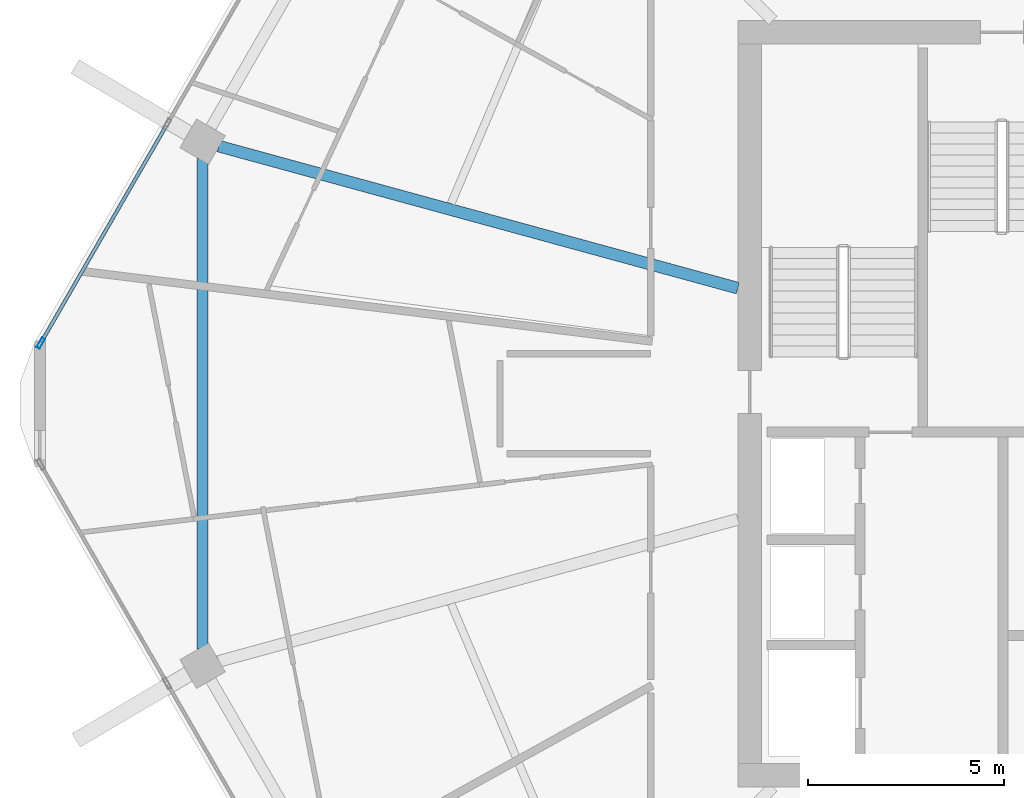
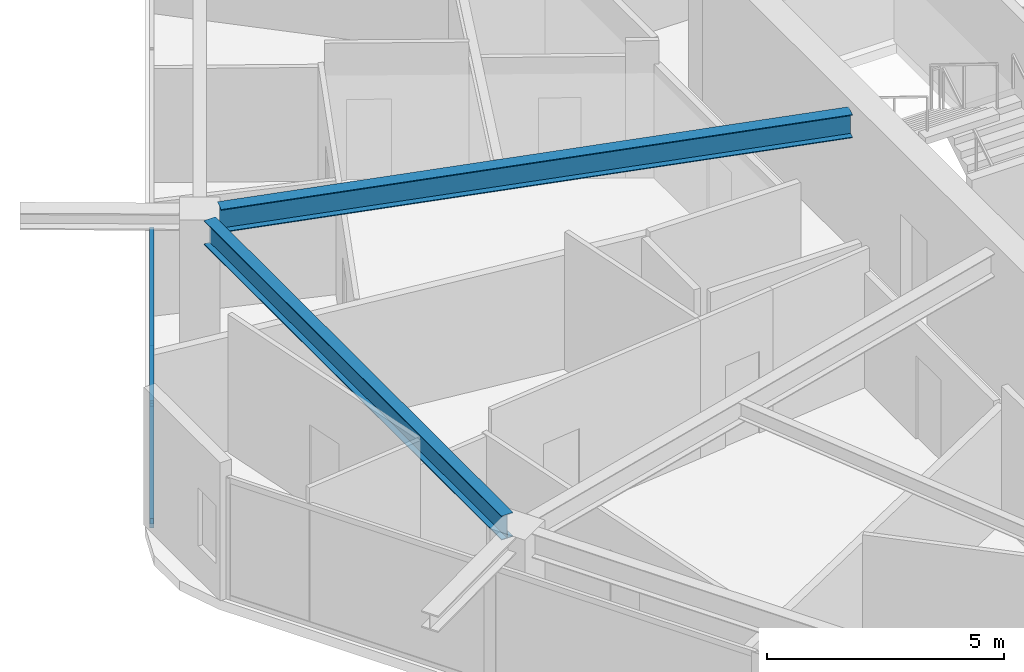
# One storey, part 6 of 27: 3 members, 2 beams, 1 element without a shape of its own.
"""IFC4 building model written with IfcOpenShell, lengths in metres."""

from ifc_helpers import new_model, si_unit, direction, frame, origin, origin_2d, place, context, subcontext, project, spatial, hollow_rectangle, i_section, extrude, material, material_profile, profile_set, type_object, element, aggregate, save


model = new_model("IFC4")

# Units and contexts
model_context = context("Model", 3, precision=1e-05, world=origin(), true_north=direction((0.0, 1.0)))
body_context = subcontext(model_context, "Body", "Model", "MODEL_VIEW")
ifc_project = project(units=[si_unit("LENGTHUNIT", "METRE"), si_unit("AREAUNIT", "SQUARE_METRE"), si_unit("VOLUMEUNIT", "CUBIC_METRE"), si_unit("PLANEANGLEUNIT", "RADIAN"), si_unit("MASSUNIT", "GRAM", prefix="KILO")], contexts=[model_context])

# Site, building, storey
site_placement = place(None, origin())
site = spatial("IfcSite", under=ifc_project, at=site_placement, CompositionType="ELEMENT")
building_placement = place(site_placement, origin())
building = spatial("IfcBuilding", under=site, at=building_placement, Name="Zuhravey Tower", CompositionType="ELEMENT")
storey_placement = place(building_placement, frame((0.0, 0.0, 265.39990234375)))
storey = spatial("IfcBuildingStorey", under=building, at=storey_placement, Name="L67", CompositionType="ELEMENT", Elevation=265.39990234375)

# Curtain wall, members
ifc_material_1 = material(Name="Thermally broken anodised aluminium", Category="aluminium")
curtain_wall_type = type_object("IfcCurtainWallType", Name="Zone 3-4 High-Rise Curtain Wall CW4", PredefinedType="NOTDEFINED", material=ifc_material_1)
curtain_wall_placement = place(storey_placement, origin())
curtain_wall = element("IfcCurtainWall", 1, at=curtain_wall_placement, inside=storey, type_object=curtain_wall_type, Name="L67 CW4 CW-L67-F3-1", PredefinedType="NOTDEFINED")
ifc_material_2 = material(Name="Anodised aluminium", Category="aluminium")
ifc_material_profile_1 = material_profile(ifc_material_2, hollow_rectangle(XDim=0.090087890625, YDim=0.284912109375, WallThickness=0.0048828125, at=origin_2d()), Name="ALU-RHS-90x285x5")
ifc_profile_set_1 = profile_set([ifc_material_profile_1], Name="Anodised aluminium")
member_type_1 = type_object("IfcMemberType", Name="Curtain-Wall Mullion 90x180", PredefinedType="MULLION", material=ifc_profile_set_1)
member_1_placement = place(storey_placement, frame((7.37744140625, 33.551513671875, 0.0), z_axis=(0.0, 0.0, 1.0), x_axis=(-0.866024851021, 0.500000957414, 0.0)))
member_1 = element("IfcMember", 2, at=member_1_placement, type_object=member_type_1, Name="CW4 mullion 1", PredefinedType="MULLION", context=body_context, shape_type="SweptSolid", body=[
    extrude(hollow_rectangle(XDim=0.090087890625, YDim=0.284912109375, WallThickness=0.0048828125, at=origin_2d()), origin(), (0.0, 0.0, 1.0), 3.1220703125),
])
ifc_material_profile_2 = material_profile(ifc_material_2, hollow_rectangle(XDim=0.090087890625, YDim=0.14990234375, WallThickness=0.0048828125, at=origin_2d()), Name="ALU-RHS-90x150x5")
ifc_profile_set_2 = profile_set([ifc_material_profile_2], Name="Anodised aluminium")
member_type_2 = type_object("IfcMemberType", Name="Curtain-Wall Transom 90x150", PredefinedType="USERDEFINED", material=ifc_profile_set_2)
member_2_placement = place(storey_placement, frame((7.39990234375, 33.59033203125, 0.045166015625), z_axis=(0.500008810174, 0.866020317169, 0.0), x_axis=(-0.866020317169, 0.500008810174, 0.0)))
member_2 = element("IfcMember", 3, at=member_2_placement, type_object=member_type_2, Name="CW4 transom 1.1", ObjectType="TRANSOM", PredefinedType="USERDEFINED", context=body_context, shape_type="SweptSolid", body=[
    extrude(hollow_rectangle(XDim=0.090087890625, YDim=0.14990234375, WallThickness=0.0048828125, at=origin_2d()), origin(), (0.0, 0.0, 1.0), 6.37158203125),
])
member_3_placement = place(storey_placement, frame((7.39990234375, 33.59033203125, 3.0771484375), z_axis=(0.500008810174, 0.866020317169, 0.0), x_axis=(-0.866020317169, 0.500008810174, 0.0)))
member_3 = element("IfcMember", 4, at=member_3_placement, type_object=member_type_2, Name="CW4 transom 1.2", ObjectType="TRANSOM", PredefinedType="USERDEFINED", context=body_context, shape_type="SweptSolid", body=[
    extrude(hollow_rectangle(XDim=0.090087890625, YDim=0.14990234375, WallThickness=0.0048828125, at=origin_2d()), origin(), (0.0, 0.0, 1.0), 6.37158203125),
])
aggregate(curtain_wall, [member_1, member_2, member_3])

# Beams
ifc_material_3 = material(Name="Steel SM355", Category="steel")
ifc_material_profile_3 = material_profile(ifc_material_3, i_section(OverallWidth=0.280029296875, OverallDepth=0.6201171875, WebThickness=0.011962890625, FlangeThickness=0.02001953125, at=origin_2d()), Name="H-620x280x12x20")
ifc_profile_set_3 = profile_set([ifc_material_profile_3], Name="Steel SM355")
beam_type_1 = type_object("IfcBeamType", Name="Perimeter Ring Beam H620x280", PredefinedType="BEAM", material=ifc_profile_set_3)
beam_1_placement = place(storey_placement, frame((11.515380859375, 38.27099609375, 3.239990234375), z_axis=(0.0, -1.0, 0.0), x_axis=(1.0, 0.0, 0.0)))
element("IfcBeam", 5, at=beam_1_placement, inside=storey, type_object=beam_type_1, Name="L67 PB3 BM-L67-PB-06", PredefinedType="BEAM", context=body_context, shape_type="SweptSolid", body=[
    extrude(i_section(OverallWidth=0.280029296875, OverallDepth=0.6201171875, WebThickness=0.011962890625, FlangeThickness=0.02001953125, at=origin_2d()), origin(), (0.0, 0.0, 1.0), 12.5419921875),
])
ifc_material_profile_4 = material_profile(ifc_material_3, i_section(OverallWidth=0.300048828125, OverallDepth=0.60009765625, WebThickness=0.011962890625, FlangeThickness=0.02001953125, at=origin_2d()), Name="H-600x300x12x20")
ifc_profile_set_4 = profile_set([ifc_material_profile_4], Name="Steel SM355")
beam_type_2 = type_object("IfcBeamType", Name="Radial Primary Girder H600x300", PredefinedType="BEAM", material=ifc_profile_set_4)
beam_2_placement = place(storey_placement, frame((25.197021484375, 34.95556640625, 3.25), z_axis=(-0.964549305009, 0.263902705947, 0.0), x_axis=(-0.263902705947, -0.964549305009, 0.0)))
element("IfcBeam", 6, at=beam_2_placement, inside=storey, type_object=beam_type_2, Name="L67 RG3 BM-L67-RAD-06", PredefinedType="BEAM", context=body_context, shape_type="SweptSolid", body=[
    extrude(i_section(OverallWidth=0.300048828125, OverallDepth=0.60009765625, WebThickness=0.011962890625, FlangeThickness=0.02001953125, at=origin_2d()), origin(), (0.0, 0.0, 1.0), 13.756591796875),
])

save(model, "model.ifc")
